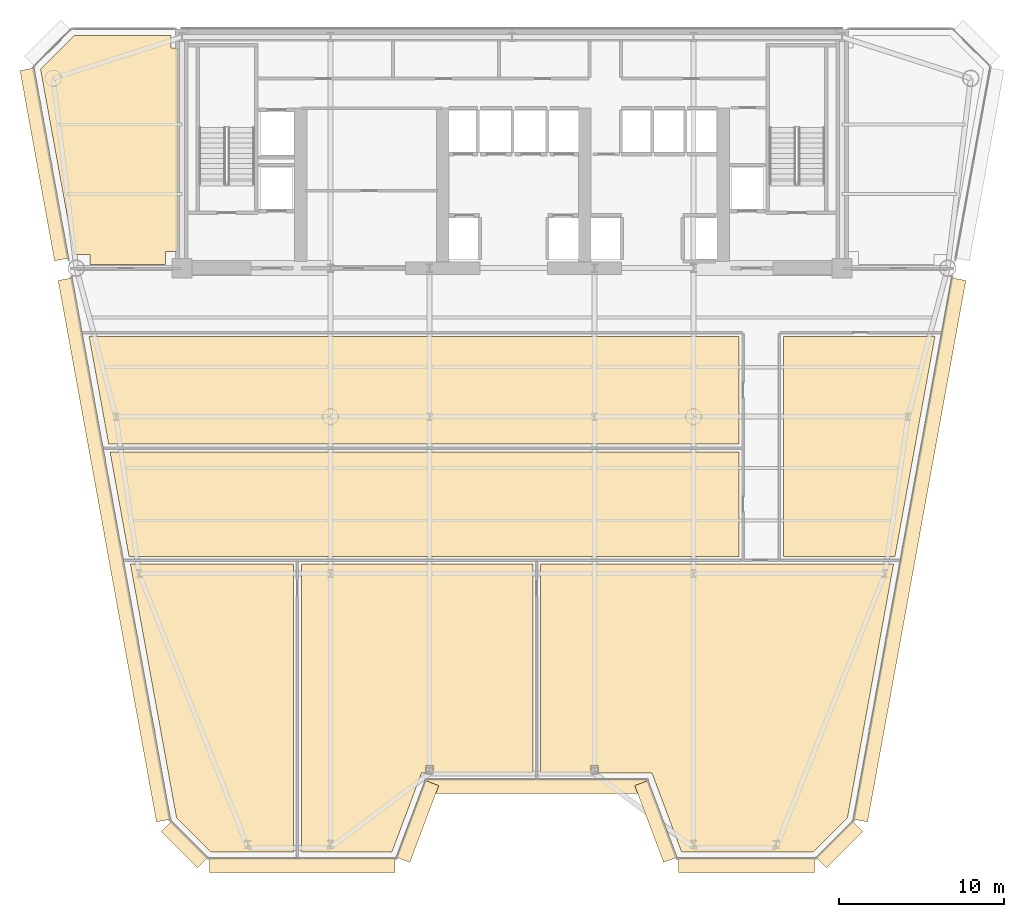
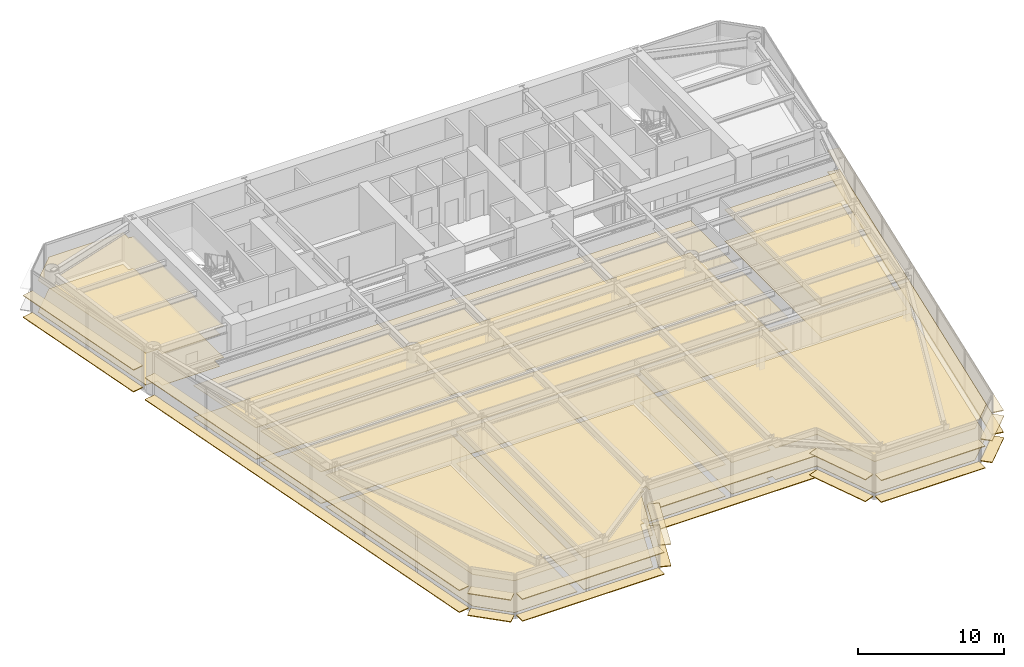
# One storey, part 11 of 14: 34 coverings.
"""IFC4 building model written with IfcOpenShell, lengths in metres."""

from ifc_helpers import new_model, si_unit, direction, frame, origin, origin_2d, place, context, subcontext, project, spatial, polyline, rectangle, outline, extrude, source, transform, mapped, material, layer, layer_set, type_object, element, save


model = new_model("IFC4")

# Units and contexts
model_context = context("Model", 3, precision=1e-05, world=origin(), true_north=direction((0.0, 1.0)))
body_context = subcontext(model_context, "Body", "Model", "MODEL_VIEW")
ifc_project = project(units=[si_unit("LENGTHUNIT", "METRE"), si_unit("AREAUNIT", "SQUARE_METRE"), si_unit("VOLUMEUNIT", "CUBIC_METRE"), si_unit("PLANEANGLEUNIT", "RADIAN"), si_unit("MASSUNIT", "GRAM", prefix="KILO")], contexts=[model_context])

# Site, building, storey
site_placement = place(None, origin())
site = spatial("IfcSite", under=ifc_project, at=site_placement, CompositionType="ELEMENT")
building_placement = place(site_placement, origin())
building = spatial("IfcBuilding", under=site, at=building_placement, Name="Vaeldorn Concourse Tower", CompositionType="ELEMENT")
storey_placement = place(building_placement, frame((0.0, 0.0, 133.800048828125)))
storey = spatial("IfcBuildingStorey", under=building, at=storey_placement, Name="L34", CompositionType="ELEMENT", Elevation=133.800048828125)

# Coverings
ifc_material_1 = material(Name="Acoustic Mineral Fibre Board", Category="gypsum")
ifc_layer_1 = layer(ifc_material_1, 0.0400390625)
ifc_layer_set_1 = layer_set([ifc_layer_1], Name="Acoustic Mineral Fibre Board")
covering_type_1 = type_object("IfcCoveringType", Name="COV-CEIL-ACOUSTIC", PredefinedType="CEILING", material=ifc_layer_set_1)
covering_1_placement = place(storey_placement, frame((0.0, 0.0, 2.64990234375)))
element("IfcCovering", 1, at=covering_1_placement, inside=storey, type_object=covering_type_1, Name="Suspended Acoustic Ceiling L34-3", PredefinedType="CEILING", context=body_context, shape_type="SweptSolid", body=[
    extrude(outline(polyline([(7.4658203125, 50.60009765625), (13.340087890625, 50.60009765625), (13.340087890625, 49.840087890625), (13.760009765625, 49.840087890625), (13.760009765625, 37.5), (13.0, 37.5), (13.0, 36.719970703125), (8.419921875, 36.719970703125), (8.419921875, 37.320068359375), (7.473388671875, 37.320068359375), (5.43115234375, 48.565185546875), (7.4658203125, 50.60009765625)])), origin(), (0.0, 0.0, 1.0), 0.0400390625),
])
covering_2_placement = place(storey_placement, frame((0.0, 0.0, 2.64990234375)))
element("IfcCovering", 2, at=covering_2_placement, inside=storey, type_object=covering_type_1, Name="Suspended Acoustic Ceiling L34-5", PredefinedType="CEILING", context=body_context, shape_type="SweptSolid", body=[
    extrude(outline(polyline([(20.760009765625, 18.56005859375), (20.760009765625, 1.1171875), (15.762451171875, 1.1171875), (13.66796875, 3.211669921875), (10.88037109375, 18.56005859375), (20.760009765625, 18.56005859375)])), origin(), (0.0, 0.0, 1.0), 0.0400390625),
])
covering_3_placement = place(storey_placement, frame((0.0, 0.0, 2.64990234375)))
element("IfcCovering", 3, at=covering_3_placement, inside=storey, type_object=covering_type_1, Name="Suspended Acoustic Ceiling L34-6", PredefinedType="CEILING", context=body_context, shape_type="SweptSolid", body=[
    extrude(outline(polyline([(26.722900390625, 1.1171875), (21.239990234375, 1.1171875), (21.239990234375, 18.56005859375), (35.260009765625, 18.56005859375), (35.260009765625, 5.917236328125), (29.2119140625, 5.917236328125), (29.2119140625, 6.354248046875), (28.7880859375, 6.354248046875), (28.7880859375, 5.917236328125), (28.522705078125, 5.917236328125), (26.722900390625, 1.1171875)])), origin(), (0.0, 0.0, 1.0), 0.0400390625),
])
covering_4_placement = place(storey_placement, frame((0.0, 0.0, 2.64990234375)))
element("IfcCovering", 4, at=covering_4_placement, inside=storey, type_object=covering_type_1, Name="Suspended Acoustic Ceiling L34-7", PredefinedType="CEILING", context=body_context, shape_type="SweptSolid", body=[
    extrude(outline(polyline([(35.739990234375, 18.56005859375), (57.11962890625, 18.56005859375), (54.33203125, 3.211669921875), (52.237548828125, 1.1171875), (44.277099609375, 1.1171875), (42.477294921875, 5.917236328125), (39.2119140625, 5.917236328125), (39.2119140625, 6.354248046875), (38.7880859375, 6.354248046875), (38.7880859375, 5.917236328125), (35.739990234375, 5.917236328125), (35.739990234375, 18.56005859375)])), origin(), (0.0, 0.0, 1.0), 0.0400390625),
])
covering_5_placement = place(storey_placement, frame((0.0, 0.0, 2.64990234375)))
element("IfcCovering", 5, at=covering_5_placement, inside=storey, type_object=covering_type_1, Name="Suspended Acoustic Ceiling L34-8", PredefinedType="CEILING", context=body_context, shape_type="SweptSolid", body=[
    extrude(outline(polyline([(47.760009765625, 25.360107421875), (47.760009765625, 19.0400390625), (10.793212890625, 19.0400390625), (9.6455078125, 25.360107421875), (47.760009765625, 25.360107421875)])), origin(), (0.0, 0.0, 1.0), 0.0400390625),
])
covering_6_placement = place(storey_placement, frame((0.0, 0.0, 2.64990234375)))
element("IfcCovering", 6, at=covering_6_placement, inside=storey, type_object=covering_type_1, Name="Suspended Acoustic Ceiling L34-9", PredefinedType="CEILING", context=body_context, shape_type="SweptSolid", body=[
    extrude(outline(polyline([(47.760009765625, 32.360107421875), (47.760009765625, 25.840087890625), (9.558349609375, 25.840087890625), (8.3740234375, 32.360107421875), (47.760009765625, 32.360107421875)])), origin(), (0.0, 0.0, 1.0), 0.0400390625),
])
covering_7_placement = place(storey_placement, frame((0.0, 0.0, 2.64990234375)))
element("IfcCovering", 7, at=covering_7_placement, inside=storey, type_object=covering_type_1, Name="Suspended Acoustic Ceiling L34-10", PredefinedType="CEILING", context=body_context, shape_type="SweptSolid", body=[
    extrude(outline(polyline([(50.43994140625, 19.0400390625), (50.43994140625, 32.360107421875), (59.6259765625, 32.360107421875), (57.206787109375, 19.0400390625), (50.43994140625, 19.0400390625)])), origin(), (0.0, 0.0, 1.0), 0.0400390625),
])
ifc_material_2 = material(Name="Honed Limestone Terrazzo Flooring", Category="masonry")
ifc_layer_2 = layer(ifc_material_2, 0.0400390625)
ifc_layer_set_2 = layer_set([ifc_layer_2], Name="Honed Limestone Terrazzo Flooring")
covering_type_2 = type_object("IfcCoveringType", Name="COV-FLOOR-STONE", PredefinedType="FLOORING", material=ifc_layer_set_2)
covering_8_placement = place(storey_placement, origin())
element("IfcCovering", 8, at=covering_8_placement, inside=storey, type_object=covering_type_2, Name="Floor Finish Covering L34-3", PredefinedType="FLOORING", context=body_context, shape_type="SweptSolid", body=[
    extrude(outline(polyline([(7.4658203125, 50.60009765625), (13.340087890625, 50.60009765625), (13.340087890625, 49.840087890625), (13.760009765625, 49.840087890625), (13.760009765625, 37.5), (13.0, 37.5), (13.0, 36.719970703125), (8.419921875, 36.719970703125), (8.419921875, 37.320068359375), (7.473388671875, 37.320068359375), (5.43115234375, 48.565185546875), (7.4658203125, 50.60009765625)])), origin(), (0.0, 0.0, 1.0), 0.030029296875),
])
covering_9_placement = place(storey_placement, origin())
element("IfcCovering", 9, at=covering_9_placement, inside=storey, type_object=covering_type_2, Name="Floor Finish Covering L34-5", PredefinedType="FLOORING", context=body_context, shape_type="SweptSolid", body=[
    extrude(outline(polyline([(20.760009765625, 18.56005859375), (20.760009765625, 1.1171875), (15.762451171875, 1.1171875), (13.66796875, 3.211669921875), (10.88037109375, 18.56005859375), (20.760009765625, 18.56005859375)])), origin(), (0.0, 0.0, 1.0), 0.030029296875),
])
covering_10_placement = place(storey_placement, origin())
element("IfcCovering", 10, at=covering_10_placement, inside=storey, type_object=covering_type_2, Name="Floor Finish Covering L34-6", PredefinedType="FLOORING", context=body_context, shape_type="SweptSolid", body=[
    extrude(outline(polyline([(26.722900390625, 1.1171875), (21.239990234375, 1.1171875), (21.239990234375, 18.56005859375), (35.260009765625, 18.56005859375), (35.260009765625, 5.917236328125), (29.2119140625, 5.917236328125), (29.2119140625, 6.354248046875), (28.7880859375, 6.354248046875), (28.7880859375, 5.917236328125), (28.522705078125, 5.917236328125), (26.722900390625, 1.1171875)])), origin(), (0.0, 0.0, 1.0), 0.030029296875),
])
covering_11_placement = place(storey_placement, origin())
element("IfcCovering", 11, at=covering_11_placement, inside=storey, type_object=covering_type_2, Name="Floor Finish Covering L34-7", PredefinedType="FLOORING", context=body_context, shape_type="SweptSolid", body=[
    extrude(outline(polyline([(35.739990234375, 18.56005859375), (57.11962890625, 18.56005859375), (54.33203125, 3.211669921875), (52.237548828125, 1.1171875), (44.277099609375, 1.1171875), (42.477294921875, 5.917236328125), (39.2119140625, 5.917236328125), (39.2119140625, 6.354248046875), (38.7880859375, 6.354248046875), (38.7880859375, 5.917236328125), (35.739990234375, 5.917236328125), (35.739990234375, 18.56005859375)])), origin(), (0.0, 0.0, 1.0), 0.030029296875),
])
covering_12_placement = place(storey_placement, origin())
element("IfcCovering", 12, at=covering_12_placement, inside=storey, type_object=covering_type_2, Name="Floor Finish Covering L34-8", PredefinedType="FLOORING", context=body_context, shape_type="SweptSolid", body=[
    extrude(outline(polyline([(47.760009765625, 25.360107421875), (47.760009765625, 19.0400390625), (10.793212890625, 19.0400390625), (9.6455078125, 25.360107421875), (47.760009765625, 25.360107421875)])), origin(), (0.0, 0.0, 1.0), 0.030029296875),
])
covering_13_placement = place(storey_placement, origin())
element("IfcCovering", 13, at=covering_13_placement, inside=storey, type_object=covering_type_2, Name="Floor Finish Covering L34-9", PredefinedType="FLOORING", context=body_context, shape_type="SweptSolid", body=[
    extrude(outline(polyline([(47.760009765625, 32.360107421875), (47.760009765625, 25.840087890625), (9.558349609375, 25.840087890625), (8.3740234375, 32.360107421875), (47.760009765625, 32.360107421875)])), origin(), (0.0, 0.0, 1.0), 0.030029296875),
])
covering_14_placement = place(storey_placement, origin())
element("IfcCovering", 14, at=covering_14_placement, inside=storey, type_object=covering_type_2, Name="Floor Finish Covering L34-10", PredefinedType="FLOORING", context=body_context, shape_type="SweptSolid", body=[
    extrude(outline(polyline([(50.43994140625, 19.0400390625), (50.43994140625, 32.360107421875), (59.6259765625, 32.360107421875), (57.206787109375, 19.0400390625), (50.43994140625, 19.0400390625)])), origin(), (0.0, 0.0, 1.0), 0.030029296875),
])
ifc_material_3 = material(Name="Anodised Bronze Aluminium", Category="aluminium")
ifc_layer_3 = layer(ifc_material_3, 0.06494140625)
ifc_layer_set_3 = layer_set([ifc_layer_3], Name="Anodised Bronze Aluminium")
covering_type_3 = type_object("IfcCoveringType", Name="SD-BRONZE-SUNSHADE", PredefinedType="USERDEFINED", material=ifc_layer_set_3)
shared_shape_1 = source(origin(), body_context, "Body", "SweptSolid", [
    extrude(rectangle(XDim=4.96630859375, YDim=0.8798828125, at=origin_2d()), origin(), (0.0, 0.0, 1.0), 0.06494140625),
])
for number, where, z_axis, x_axis, name in (
    (15, (28.2744140625, 2.976806640625, 0.04736328125), (0.0, 0.0, 1.0), (0.351122702609, 0.936329454686, 0.0), "Horizontal Bronze Sunshade L34-E02.1.1"),
    (16, (28.2744140625, 2.976806640625, 1.867431640625), (0.0, 0.0, 1.0), (0.351122702609, 0.936329454686, 0.0), "Horizontal Bronze Sunshade L34-E02.1.2"),
    (17, (42.7255859375, 2.976806640625, 0.04736328125), (0.0, 0.0, 1.0), (0.351122702609, -0.936329454686, 0.0), "Horizontal Bronze Sunshade L34-E04.1.1"),
    (18, (42.7255859375, 2.976806640625, 1.867431640625), (0.0, 0.0, 1.0), (0.351122702609, -0.936329454686, 0.0), "Horizontal Bronze Sunshade L34-E04.1.2"),
):
    element("IfcCovering", number, at=place(storey_placement, frame(where, z_axis=z_axis, x_axis=x_axis)), inside=storey, type_object=covering_type_3, Name=name, ObjectType="SUNSHADE", PredefinedType="USERDEFINED", context=body_context, shape_type="MappedRepresentation", body=[
        mapped(shared_shape_1, transform((0.0, 0.0, 0.0), scale=1.0)),
    ])
shared_shape_2 = source(origin(), body_context, "Body", "SweptSolid", [
    extrude(rectangle(XDim=13.239990234375, YDim=0.8798828125, at=origin_2d()), origin(), (0.0, 0.0, 1.0), 0.06494140625),
])
for number, where, z_axis, x_axis, name in (
    (19, (35.5, 5.1171875, 0.04736328125), (0.0, 0.0, 1.0), (1.0, 0.0, 0.0), "Horizontal Bronze Sunshade L34-E03.1.1"),
    (20, (35.5, 5.1171875, 1.867431640625), (0.0, 0.0, 1.0), (1.0, 0.0, 0.0), "Horizontal Bronze Sunshade L34-E03.1.2"),
):
    element("IfcCovering", number, at=place(storey_placement, frame(where, z_axis=z_axis, x_axis=x_axis)), inside=storey, type_object=covering_type_3, Name=name, ObjectType="SUNSHADE", PredefinedType="USERDEFINED", context=body_context, shape_type="MappedRepresentation", body=[
        mapped(shared_shape_2, transform((0.0, 0.0, 0.0), scale=1.0)),
    ])
shared_shape_3 = source(origin(), body_context, "Body", "SweptSolid", [
    extrude(rectangle(XDim=3.0927734375, YDim=0.8798828125, at=origin_2d()), origin(), (0.0, 0.0, 1.0), 0.06494140625),
])
for number, where, z_axis, x_axis, name in (
    (21, (53.836181640625, 1.58447265625, 0.04736328125), (0.0, 0.0, 1.0), (0.707106781187, 0.707106781187, 0.0), "Horizontal Bronze Sunshade L34-E06.1.1"),
    (22, (53.836181640625, 1.58447265625, 1.867431640625), (0.0, 0.0, 1.0), (0.707106781187, 0.707106781187, 0.0), "Horizontal Bronze Sunshade L34-E06.1.2"),
    (23, (14.163818359375, 1.58447265625, 0.04736328125), (0.0, 0.0, 1.0), (0.707106781187, -0.707106781187, 0.0), "Horizontal Bronze Sunshade L34-E12.1.1"),
    (24, (14.163818359375, 1.58447265625, 1.867431640625), (0.0, 0.0, 1.0), (0.707106781187, -0.707106781187, 0.0), "Horizontal Bronze Sunshade L34-E12.1.2"),
):
    element("IfcCovering", number, at=place(storey_placement, frame(where, z_axis=z_axis, x_axis=x_axis)), inside=storey, type_object=covering_type_3, Name=name, ObjectType="SUNSHADE", PredefinedType="USERDEFINED", context=body_context, shape_type="MappedRepresentation", body=[
        mapped(shared_shape_3, transform((0.0, 0.0, 0.0), scale=1.0)),
    ])
shared_shape_4 = source(origin(), body_context, "Body", "SweptSolid", [
    extrude(rectangle(XDim=11.243408203125, YDim=0.8798828125, at=origin_2d()), origin(), (0.0, 0.0, 1.0), 0.06494140625),
])
for number, where, z_axis, x_axis, name in (
    (25, (21.29833984375, 0.317138671875, 0.04736328125), (0.0, 0.0, 1.0), (1.0, 0.0, 0.0), "Horizontal Bronze Sunshade L34-E01.1.1"),
    (26, (21.29833984375, 0.317138671875, 1.867431640625), (0.0, 0.0, 1.0), (1.0, 0.0, 0.0), "Horizontal Bronze Sunshade L34-E01.1.2"),
):
    element("IfcCovering", number, at=place(storey_placement, frame(where, z_axis=z_axis, x_axis=x_axis)), inside=storey, type_object=covering_type_3, Name=name, ObjectType="SUNSHADE", PredefinedType="USERDEFINED", context=body_context, shape_type="MappedRepresentation", body=[
        mapped(shared_shape_4, transform((0.0, 0.0, 0.0), scale=1.0)),
    ])
shared_shape_5 = source(origin(), body_context, "Body", "SweptSolid", [
    extrude(rectangle(XDim=8.243408203125, YDim=0.8798828125, at=origin_2d()), origin(), (0.0, 0.0, 1.0), 0.06494140625),
])
for number, where, z_axis, x_axis, name in (
    (27, (48.20166015625, 0.317138671875, 0.04736328125), (0.0, 0.0, 1.0), (1.0, 0.0, 0.0), "Horizontal Bronze Sunshade L34-E05.1.1"),
    (28, (48.20166015625, 0.317138671875, 1.867431640625), (0.0, 0.0, 1.0), (1.0, 0.0, 0.0), "Horizontal Bronze Sunshade L34-E05.1.2"),
):
    element("IfcCovering", number, at=place(storey_placement, frame(where, z_axis=z_axis, x_axis=x_axis)), inside=storey, type_object=covering_type_3, Name=name, ObjectType="SUNSHADE", PredefinedType="USERDEFINED", context=body_context, shape_type="MappedRepresentation", body=[
        mapped(shared_shape_5, transform((0.0, 0.0, 0.0), scale=1.0)),
    ])
shared_shape_6 = source(origin(), body_context, "Body", "SweptSolid", [
    extrude(rectangle(XDim=33.343994140625, YDim=0.8798828125, at=origin_2d()), origin(), (0.0, 0.0, 1.0), 0.06494140625),
])
for number, where, z_axis, x_axis, name in (
    (29, (58.09033203125, 19.427978515625, 0.04736328125), (0.0, 0.0, 1.0), (0.178699181936, 0.983903756663, 0.0), "Horizontal Bronze Sunshade L34-E07.1.1"),
    (30, (58.09033203125, 19.427978515625, 1.867431640625), (0.0, 0.0, 1.0), (0.178699181936, 0.983903756663, 0.0), "Horizontal Bronze Sunshade L34-E07.1.2"),
    (31, (9.90966796875, 19.427978515625, 0.04736328125), (0.0, 0.0, 1.0), (0.178699181936, -0.983903756663, 0.0), "Horizontal Bronze Sunshade L34-E11.2.1"),
    (32, (9.90966796875, 19.427978515625, 1.867431640625), (0.0, 0.0, 1.0), (0.178699181936, -0.983903756663, 0.0), "Horizontal Bronze Sunshade L34-E11.2.2"),
):
    element("IfcCovering", number, at=place(storey_placement, frame(where, z_axis=z_axis, x_axis=x_axis)), inside=storey, type_object=covering_type_3, Name=name, ObjectType="SUNSHADE", PredefinedType="USERDEFINED", context=body_context, shape_type="MappedRepresentation", body=[
        mapped(shared_shape_6, transform((0.0, 0.0, 0.0), scale=1.0)),
    ])
shared_shape_7 = source(origin(), body_context, "Body", "SweptSolid", [
    extrude(rectangle(XDim=11.713134765625, YDim=0.8798828125, at=origin_2d()), origin(), (0.0, 0.0, 1.0), 0.06494140625),
])
for number, where, z_axis, x_axis, name in (
    (33, (5.667236328125, 42.78759765625, 0.04736328125), (0.0, 0.0, 1.0), (0.178682009549, -0.983906875402, 0.0), "Horizontal Bronze Sunshade L34-E11.1.1"),
    (34, (5.667236328125, 42.78759765625, 1.867431640625), (0.0, 0.0, 1.0), (0.178682009549, -0.983906875402, 0.0), "Horizontal Bronze Sunshade L34-E11.1.2"),
):
    element("IfcCovering", number, at=place(storey_placement, frame(where, z_axis=z_axis, x_axis=x_axis)), inside=storey, type_object=covering_type_3, Name=name, ObjectType="SUNSHADE", PredefinedType="USERDEFINED", context=body_context, shape_type="MappedRepresentation", body=[
        mapped(shared_shape_7, transform((0.0, 0.0, 0.0), scale=1.0)),
    ])

save(model, "model.ifc")
